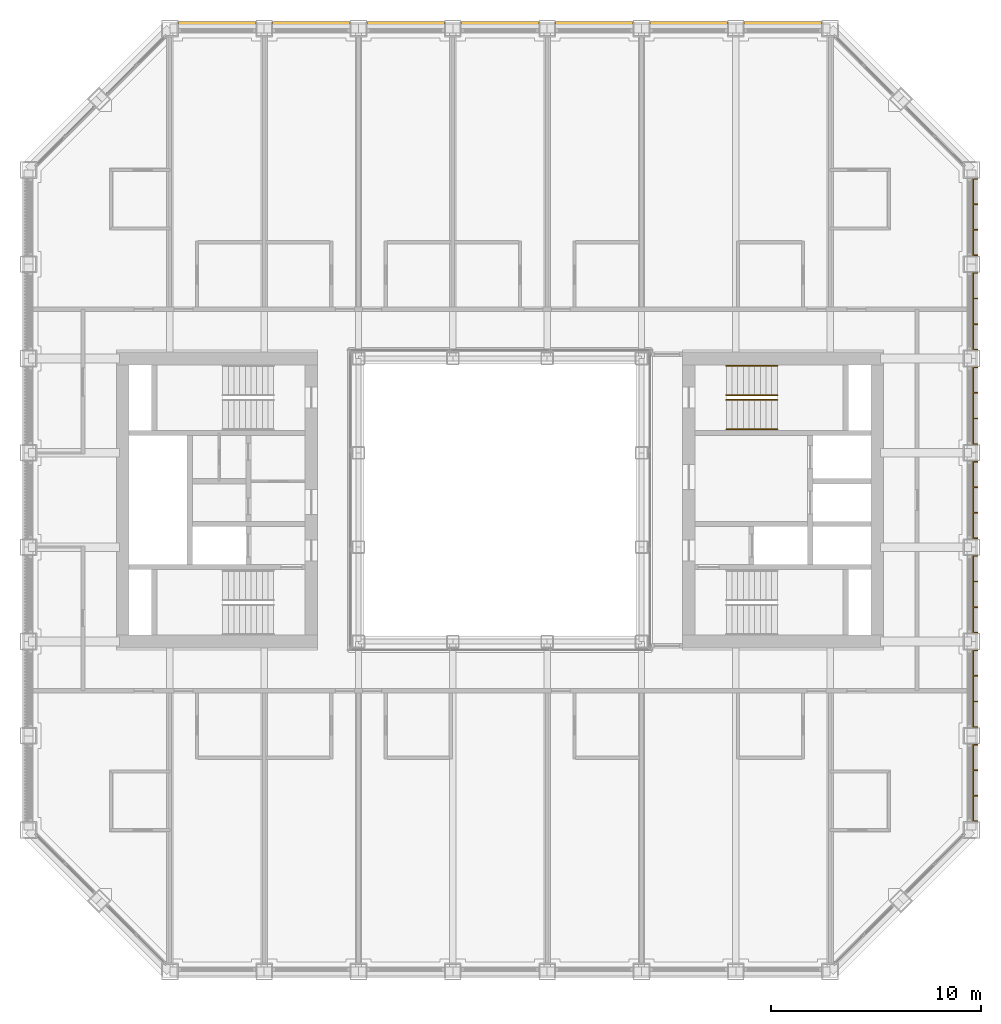
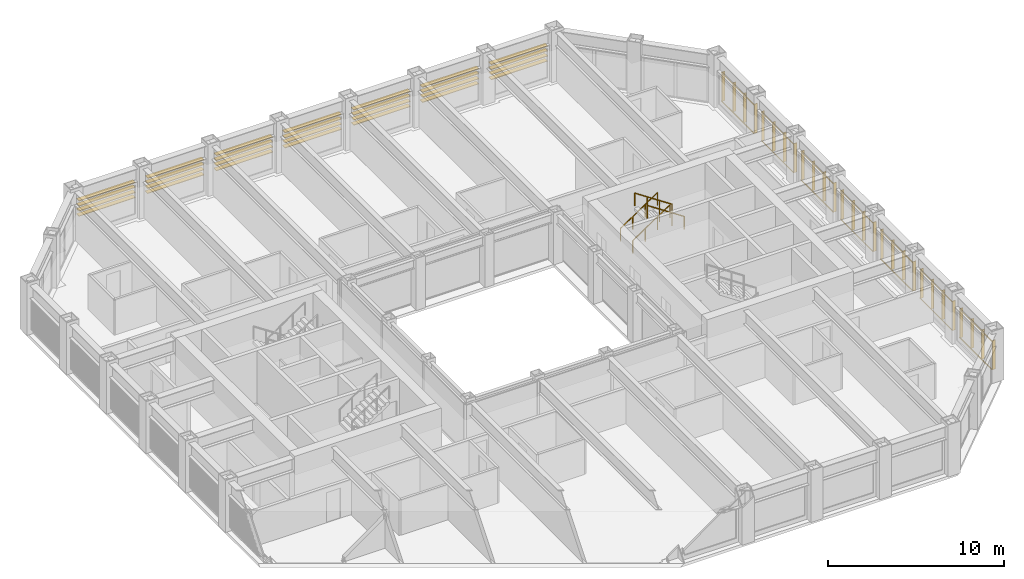
# One storey, part 17 of 17: 4 railings, 2 shading devices.
"""IFC4 building model written with IfcOpenShell, lengths in metres."""

from ifc_helpers import new_model, si_unit, direction, frame, origin, origin_2d, place, context, subcontext, project, spatial, rectangle, circle, extrude, material, type_object, element, save


model = new_model("IFC4")

# Units and contexts
model_context = context("Model", 3, precision=1e-05, world=origin(), true_north=direction((0.0, 1.0)))
body_context = subcontext(model_context, "Body", "Model", "MODEL_VIEW")
ifc_project = project(units=[si_unit("LENGTHUNIT", "METRE"), si_unit("AREAUNIT", "SQUARE_METRE"), si_unit("VOLUMEUNIT", "CUBIC_METRE"), si_unit("PLANEANGLEUNIT", "RADIAN"), si_unit("MASSUNIT", "GRAM", prefix="KILO")], contexts=[model_context])

# Site, building, storey
site_placement = place(None, origin())
site = spatial("IfcSite", under=ifc_project, at=site_placement, CompositionType="ELEMENT")
building_placement = place(site_placement, origin())
building = spatial("IfcBuilding", under=site, at=building_placement, Name="Msasa Ring Tower", CompositionType="ELEMENT")
storey_placement = place(building_placement, frame((0.0, 0.0, 143.60009765625)))
storey = spatial("IfcBuildingStorey", under=building, at=storey_placement, Name="L37", CompositionType="ELEMENT", Elevation=143.60009765625)

# Shading device
ifc_material_1 = material(Name="Extruded terracotta on aluminium carriers", Category="masonry")
shading_device_type_1 = type_object("IfcShadingDeviceType", Name="BS2 TERRACOTTA FIN SCREEN 40x200 AT 1350", PredefinedType="USERDEFINED", material=ifc_material_1)
shading_device_1_placement = place(storey_placement, origin())
element("IfcShadingDevice", 1, at=shading_device_1_placement, inside=storey, type_object=shading_device_type_1, Name="Terracotta fin screen E L37", ObjectType="BAGUETTE", PredefinedType="USERDEFINED", context=body_context, shape_type="SweptSolid", body=[
    extrude(rectangle(XDim=0.06005859375, YDim=0.0400390625, at=origin_2d()), frame((22.580078125, -15.35009765625, 0.329833984375), z_axis=(0.0, 1.0, 0.0), x_axis=(0.0, 0.0, 1.0)), (0.0, 0.0, 1.0), 3.699951171875),
    extrude(rectangle(XDim=0.06005859375, YDim=0.0400390625, at=origin_2d()), frame((22.580078125, -15.35009765625, 2.298828125), z_axis=(0.0, 1.0, 0.0), x_axis=(0.0, 0.0, 1.0)), (0.0, 0.0, 1.0), 3.699951171875),
    extrude(rectangle(XDim=0.0400390625, YDim=0.199951171875, at=origin_2d()), frame((22.695068359375, -15.330078125, 0.2998046875), z_axis=(0.0, 0.0, 1.0), x_axis=(0.0, 1.0, 0.0)), (0.0, 0.0, 1.0), 2.029052734375),
    extrude(rectangle(XDim=0.0400390625, YDim=0.199951171875, at=origin_2d()), frame((22.695068359375, -14.110107421875, 0.2998046875), z_axis=(0.0, 0.0, 1.0), x_axis=(0.0, 1.0, 0.0)), (0.0, 0.0, 1.0), 2.029052734375),
    extrude(rectangle(XDim=0.0400390625, YDim=0.199951171875, at=origin_2d()), frame((22.695068359375, -12.889892578125, 0.2998046875), z_axis=(0.0, 0.0, 1.0), x_axis=(0.0, 1.0, 0.0)), (0.0, 0.0, 1.0), 2.029052734375),
    extrude(rectangle(XDim=0.0400390625, YDim=0.199951171875, at=origin_2d()), frame((22.695068359375, -11.669921875, 0.2998046875), z_axis=(0.0, 0.0, 1.0), x_axis=(0.0, 1.0, 0.0)), (0.0, 0.0, 1.0), 2.029052734375),
    extrude(rectangle(XDim=0.06005859375, YDim=0.0400390625, at=origin_2d()), frame((22.580078125, -10.85009765625, 0.329833984375), z_axis=(0.0, 1.0, 0.0), x_axis=(0.0, 0.0, 1.0)), (0.0, 0.0, 1.0), 3.699951171875),
    extrude(rectangle(XDim=0.06005859375, YDim=0.0400390625, at=origin_2d()), frame((22.580078125, -10.85009765625, 2.298828125), z_axis=(0.0, 1.0, 0.0), x_axis=(0.0, 0.0, 1.0)), (0.0, 0.0, 1.0), 3.699951171875),
    extrude(rectangle(XDim=0.0400390625, YDim=0.199951171875, at=origin_2d()), frame((22.695068359375, -10.830078125, 0.2998046875), z_axis=(0.0, 0.0, 1.0), x_axis=(0.0, 1.0, 0.0)), (0.0, 0.0, 1.0), 2.029052734375),
    extrude(rectangle(XDim=0.0400390625, YDim=0.199951171875, at=origin_2d()), frame((22.695068359375, -9.610107421875, 0.2998046875), z_axis=(0.0, 0.0, 1.0), x_axis=(0.0, 1.0, 0.0)), (0.0, 0.0, 1.0), 2.029052734375),
    extrude(rectangle(XDim=0.0400390625, YDim=0.199951171875, at=origin_2d()), frame((22.695068359375, -8.389892578125, 0.2998046875), z_axis=(0.0, 0.0, 1.0), x_axis=(0.0, 1.0, 0.0)), (0.0, 0.0, 1.0), 2.029052734375),
    extrude(rectangle(XDim=0.0400390625, YDim=0.199951171875, at=origin_2d()), frame((22.695068359375, -7.169921875, 0.2998046875), z_axis=(0.0, 0.0, 1.0), x_axis=(0.0, 1.0, 0.0)), (0.0, 0.0, 1.0), 2.029052734375),
    extrude(rectangle(XDim=0.06005859375, YDim=0.0400390625, at=origin_2d()), frame((22.580078125, -6.35009765625, 0.329833984375), z_axis=(0.0, 1.0, 0.0), x_axis=(0.0, 0.0, 1.0)), (0.0, 0.0, 1.0), 3.699951171875),
    extrude(rectangle(XDim=0.06005859375, YDim=0.0400390625, at=origin_2d()), frame((22.580078125, -6.35009765625, 2.298828125), z_axis=(0.0, 1.0, 0.0), x_axis=(0.0, 0.0, 1.0)), (0.0, 0.0, 1.0), 3.699951171875),
    extrude(rectangle(XDim=0.0400390625, YDim=0.199951171875, at=origin_2d()), frame((22.695068359375, -6.330078125, 0.2998046875), z_axis=(0.0, 0.0, 1.0), x_axis=(0.0, 1.0, 0.0)), (0.0, 0.0, 1.0), 2.029052734375),
    extrude(rectangle(XDim=0.0400390625, YDim=0.199951171875, at=origin_2d()), frame((22.695068359375, -5.110107421875, 0.2998046875), z_axis=(0.0, 0.0, 1.0), x_axis=(0.0, 1.0, 0.0)), (0.0, 0.0, 1.0), 2.029052734375),
    extrude(rectangle(XDim=0.0400390625, YDim=0.199951171875, at=origin_2d()), frame((22.695068359375, -3.889892578125, 0.2998046875), z_axis=(0.0, 0.0, 1.0), x_axis=(0.0, 1.0, 0.0)), (0.0, 0.0, 1.0), 2.029052734375),
    extrude(rectangle(XDim=0.0400390625, YDim=0.199951171875, at=origin_2d()), frame((22.695068359375, -2.669921875, 0.2998046875), z_axis=(0.0, 0.0, 1.0), x_axis=(0.0, 1.0, 0.0)), (0.0, 0.0, 1.0), 2.029052734375),
    extrude(rectangle(XDim=0.06005859375, YDim=0.0400390625, at=origin_2d()), frame((22.580078125, -1.85009765625, 0.329833984375), z_axis=(0.0, 1.0, 0.0), x_axis=(0.0, 0.0, 1.0)), (0.0, 0.0, 1.0), 3.699951171875),
    extrude(rectangle(XDim=0.06005859375, YDim=0.0400390625, at=origin_2d()), frame((22.580078125, -1.85009765625, 2.298828125), z_axis=(0.0, 1.0, 0.0), x_axis=(0.0, 0.0, 1.0)), (0.0, 0.0, 1.0), 3.699951171875),
    extrude(rectangle(XDim=0.0400390625, YDim=0.199951171875, at=origin_2d()), frame((22.695068359375, -1.830078125, 0.2998046875), z_axis=(0.0, 0.0, 1.0), x_axis=(0.0, 1.0, 0.0)), (0.0, 0.0, 1.0), 2.029052734375),
    extrude(rectangle(XDim=0.0400390625, YDim=0.199951171875, at=origin_2d()), frame((22.695068359375, -0.610107421875, 0.2998046875), z_axis=(0.0, 0.0, 1.0), x_axis=(0.0, 1.0, 0.0)), (0.0, 0.0, 1.0), 2.029052734375),
    extrude(rectangle(XDim=0.0400390625, YDim=0.199951171875, at=origin_2d()), frame((22.695068359375, 0.610107421875, 0.2998046875), z_axis=(0.0, 0.0, 1.0), x_axis=(0.0, 1.0, 0.0)), (0.0, 0.0, 1.0), 2.029052734375),
    extrude(rectangle(XDim=0.0400390625, YDim=0.199951171875, at=origin_2d()), frame((22.695068359375, 1.830078125, 0.2998046875), z_axis=(0.0, 0.0, 1.0), x_axis=(0.0, 1.0, 0.0)), (0.0, 0.0, 1.0), 2.029052734375),
    extrude(rectangle(XDim=0.06005859375, YDim=0.0400390625, at=origin_2d()), frame((22.580078125, 2.64990234375, 0.329833984375), z_axis=(0.0, 1.0, 0.0), x_axis=(0.0, 0.0, 1.0)), (0.0, 0.0, 1.0), 3.699951171875),
    extrude(rectangle(XDim=0.06005859375, YDim=0.0400390625, at=origin_2d()), frame((22.580078125, 2.64990234375, 2.298828125), z_axis=(0.0, 1.0, 0.0), x_axis=(0.0, 0.0, 1.0)), (0.0, 0.0, 1.0), 3.699951171875),
    extrude(rectangle(XDim=0.0400390625, YDim=0.199951171875, at=origin_2d()), frame((22.695068359375, 2.669921875, 0.2998046875), z_axis=(0.0, 0.0, 1.0), x_axis=(0.0, 1.0, 0.0)), (0.0, 0.0, 1.0), 2.029052734375),
    extrude(rectangle(XDim=0.0400390625, YDim=0.199951171875, at=origin_2d()), frame((22.695068359375, 3.889892578125, 0.2998046875), z_axis=(0.0, 0.0, 1.0), x_axis=(0.0, 1.0, 0.0)), (0.0, 0.0, 1.0), 2.029052734375),
    extrude(rectangle(XDim=0.0400390625, YDim=0.199951171875, at=origin_2d()), frame((22.695068359375, 5.110107421875, 0.2998046875), z_axis=(0.0, 0.0, 1.0), x_axis=(0.0, 1.0, 0.0)), (0.0, 0.0, 1.0), 2.029052734375),
    extrude(rectangle(XDim=0.0400390625, YDim=0.199951171875, at=origin_2d()), frame((22.695068359375, 6.330078125, 0.2998046875), z_axis=(0.0, 0.0, 1.0), x_axis=(0.0, 1.0, 0.0)), (0.0, 0.0, 1.0), 2.029052734375),
    extrude(rectangle(XDim=0.06005859375, YDim=0.0400390625, at=origin_2d()), frame((22.580078125, 7.14990234375, 0.329833984375), z_axis=(0.0, 1.0, 0.0), x_axis=(0.0, 0.0, 1.0)), (0.0, 0.0, 1.0), 3.699951171875),
    extrude(rectangle(XDim=0.06005859375, YDim=0.0400390625, at=origin_2d()), frame((22.580078125, 7.14990234375, 2.298828125), z_axis=(0.0, 1.0, 0.0), x_axis=(0.0, 0.0, 1.0)), (0.0, 0.0, 1.0), 3.699951171875),
    extrude(rectangle(XDim=0.0400390625, YDim=0.199951171875, at=origin_2d()), frame((22.695068359375, 7.169921875, 0.2998046875), z_axis=(0.0, 0.0, 1.0), x_axis=(0.0, 1.0, 0.0)), (0.0, 0.0, 1.0), 2.029052734375),
    extrude(rectangle(XDim=0.0400390625, YDim=0.199951171875, at=origin_2d()), frame((22.695068359375, 8.389892578125, 0.2998046875), z_axis=(0.0, 0.0, 1.0), x_axis=(0.0, 1.0, 0.0)), (0.0, 0.0, 1.0), 2.029052734375),
    extrude(rectangle(XDim=0.0400390625, YDim=0.199951171875, at=origin_2d()), frame((22.695068359375, 9.610107421875, 0.2998046875), z_axis=(0.0, 0.0, 1.0), x_axis=(0.0, 1.0, 0.0)), (0.0, 0.0, 1.0), 2.029052734375),
    extrude(rectangle(XDim=0.0400390625, YDim=0.199951171875, at=origin_2d()), frame((22.695068359375, 10.830078125, 0.2998046875), z_axis=(0.0, 0.0, 1.0), x_axis=(0.0, 1.0, 0.0)), (0.0, 0.0, 1.0), 2.029052734375),
    extrude(rectangle(XDim=0.06005859375, YDim=0.0400390625, at=origin_2d()), frame((22.580078125, 11.64990234375, 0.329833984375), z_axis=(0.0, 1.0, 0.0), x_axis=(0.0, 0.0, 1.0)), (0.0, 0.0, 1.0), 3.699951171875),
    extrude(rectangle(XDim=0.06005859375, YDim=0.0400390625, at=origin_2d()), frame((22.580078125, 11.64990234375, 2.298828125), z_axis=(0.0, 1.0, 0.0), x_axis=(0.0, 0.0, 1.0)), (0.0, 0.0, 1.0), 3.699951171875),
    extrude(rectangle(XDim=0.0400390625, YDim=0.199951171875, at=origin_2d()), frame((22.695068359375, 11.669921875, 0.2998046875), z_axis=(0.0, 0.0, 1.0), x_axis=(0.0, 1.0, 0.0)), (0.0, 0.0, 1.0), 2.029052734375),
    extrude(rectangle(XDim=0.0400390625, YDim=0.199951171875, at=origin_2d()), frame((22.695068359375, 12.889892578125, 0.2998046875), z_axis=(0.0, 0.0, 1.0), x_axis=(0.0, 1.0, 0.0)), (0.0, 0.0, 1.0), 2.029052734375),
    extrude(rectangle(XDim=0.0400390625, YDim=0.199951171875, at=origin_2d()), frame((22.695068359375, 14.110107421875, 0.2998046875), z_axis=(0.0, 0.0, 1.0), x_axis=(0.0, 1.0, 0.0)), (0.0, 0.0, 1.0), 2.029052734375),
    extrude(rectangle(XDim=0.0400390625, YDim=0.199951171875, at=origin_2d()), frame((22.695068359375, 15.330078125, 0.2998046875), z_axis=(0.0, 0.0, 1.0), x_axis=(0.0, 1.0, 0.0)), (0.0, 0.0, 1.0), 2.029052734375),
])

# Railings
ifc_material_2 = material(Name="Stainless steel", Category="steel")
railing_type = type_object("IfcRailingType", Name="HR1 HANDRAIL 900", PredefinedType="HANDRAIL", material=ifc_material_2)
for number, where, name in (
    (2, (10.800048828125, 5.0, 0.179931640625), "Handrail stair SEB L37 1"),
    (3, (10.800048828125, 6.39990234375, 0.179931640625), "Handrail stair SEB L37 2"),
):
    element("IfcRailing", number, at=place(storey_placement, frame(where)), inside=storey, type_object=railing_type, Name=name, PredefinedType="HANDRAIL", context=body_context, shape_type="SweptSolid", body=[
        extrude(circle(Radius=0.02392578125, at=origin_2d()), frame((0.0, 0.0, 0.8759765625), z_axis=(0.832063155534, 0.0, 0.554680903946), x_axis=(0.0, 1.0, 0.0)), (0.0, 0.0, 1.0), 2.92041015625),
        extrude(circle(Radius=0.02099609375, at=origin_2d()), origin(), (0.0, 0.0, 1.0), 0.851806640625),
        extrude(circle(Radius=0.02099609375, at=origin_2d()), frame((0.81005859375, 0.0, 0.5400390625)), (0.0, 0.0, 1.0), 0.851806640625),
        extrude(circle(Radius=0.02099609375, at=origin_2d()), frame((1.619873046875, 0.0, 1.079833984375)), (0.0, 0.0, 1.0), 0.851806640625),
        extrude(circle(Radius=0.02099609375, at=origin_2d()), frame((2.429931640625, 0.0, 1.619873046875)), (0.0, 0.0, 1.0), 0.851806640625),
    ])
for number, where, name in (
    (4, (13.22998046875, 3.375, 1.97998046875), "Handrail stair SEB L37 3"),
    (5, (13.22998046875, 4.77490234375, 1.97998046875), "Handrail stair SEB L37 4"),
):
    element("IfcRailing", number, at=place(storey_placement, frame(where)), inside=storey, type_object=railing_type, Name=name, PredefinedType="HANDRAIL", context=body_context, shape_type="SweptSolid", body=[
        extrude(circle(Radius=0.02392578125, at=origin_2d()), frame((0.0, 0.0, 0.8759765625), z_axis=(-0.832063155534, 0.0, 0.554680903946), x_axis=(0.0, -1.0, 0.0)), (0.0, 0.0, 1.0), 2.92041015625),
        extrude(circle(Radius=0.02099609375, at=origin_2d()), origin(), (0.0, 0.0, 1.0), 0.851806640625),
        extrude(circle(Radius=0.02099609375, at=origin_2d()), frame((-0.81005859375, 0.0, 0.5400390625)), (0.0, 0.0, 1.0), 0.851806640625),
        extrude(circle(Radius=0.02099609375, at=origin_2d()), frame((-1.619873046875, 0.0, 1.079833984375)), (0.0, 0.0, 1.0), 0.851806640625),
        extrude(circle(Radius=0.02099609375, at=origin_2d()), frame((-2.429931640625, 0.0, 1.619873046875)), (0.0, 0.0, 1.0), 0.851806640625),
    ])

# Shading device
ifc_material_3 = material(Name="Extruded terracotta blades", Category="masonry")
shading_device_type_2 = type_object("IfcShadingDeviceType", Name="SS1 TERRACOTTA SUNSHADE 4 BLADES 300x40 AT 350", PredefinedType="USERDEFINED", material=ifc_material_3)
shading_device_2_placement = place(storey_placement, origin())
element("IfcShadingDevice", 6, at=shading_device_2_placement, inside=storey, type_object=shading_device_type_2, Name="Terracotta sunshade N L37", ObjectType="SUNSHADE", PredefinedType="USERDEFINED", context=body_context, shape_type="SweptSolid", body=[
    extrude(rectangle(XDim=0.0400390625, YDim=0.300048828125, at=origin_2d()), frame((-15.35009765625, 22.679931640625, 2.308837890625), z_axis=(1.0, 0.0, 0.0), x_axis=(0.0, 0.0, 1.0)), (0.0, 0.0, 1.0), 3.699951171875),
    extrude(rectangle(XDim=0.0400390625, YDim=0.300048828125, at=origin_2d()), frame((-15.35009765625, 22.679931640625, 1.958984375), z_axis=(1.0, 0.0, 0.0), x_axis=(0.0, 0.0, 1.0)), (0.0, 0.0, 1.0), 3.699951171875),
    extrude(rectangle(XDim=0.0400390625, YDim=0.300048828125, at=origin_2d()), frame((-15.35009765625, 22.679931640625, 1.60888671875), z_axis=(1.0, 0.0, 0.0), x_axis=(0.0, 0.0, 1.0)), (0.0, 0.0, 1.0), 3.699951171875),
    extrude(rectangle(XDim=0.0400390625, YDim=0.300048828125, at=origin_2d()), frame((-15.35009765625, 22.679931640625, 1.2587890625), z_axis=(1.0, 0.0, 0.0), x_axis=(0.0, 0.0, 1.0)), (0.0, 0.0, 1.0), 3.699951171875),
    extrude(rectangle(XDim=0.0400390625, YDim=0.300048828125, at=origin_2d()), frame((-10.85009765625, 22.679931640625, 2.308837890625), z_axis=(1.0, 0.0, 0.0), x_axis=(0.0, 0.0, 1.0)), (0.0, 0.0, 1.0), 3.699951171875),
    extrude(rectangle(XDim=0.0400390625, YDim=0.300048828125, at=origin_2d()), frame((-10.85009765625, 22.679931640625, 1.958984375), z_axis=(1.0, 0.0, 0.0), x_axis=(0.0, 0.0, 1.0)), (0.0, 0.0, 1.0), 3.699951171875),
    extrude(rectangle(XDim=0.0400390625, YDim=0.300048828125, at=origin_2d()), frame((-10.85009765625, 22.679931640625, 1.60888671875), z_axis=(1.0, 0.0, 0.0), x_axis=(0.0, 0.0, 1.0)), (0.0, 0.0, 1.0), 3.699951171875),
    extrude(rectangle(XDim=0.0400390625, YDim=0.300048828125, at=origin_2d()), frame((-10.85009765625, 22.679931640625, 1.2587890625), z_axis=(1.0, 0.0, 0.0), x_axis=(0.0, 0.0, 1.0)), (0.0, 0.0, 1.0), 3.699951171875),
    extrude(rectangle(XDim=0.0400390625, YDim=0.300048828125, at=origin_2d()), frame((-6.35009765625, 22.679931640625, 2.308837890625), z_axis=(1.0, 0.0, 0.0), x_axis=(0.0, 0.0, 1.0)), (0.0, 0.0, 1.0), 3.699951171875),
    extrude(rectangle(XDim=0.0400390625, YDim=0.300048828125, at=origin_2d()), frame((-6.35009765625, 22.679931640625, 1.958984375), z_axis=(1.0, 0.0, 0.0), x_axis=(0.0, 0.0, 1.0)), (0.0, 0.0, 1.0), 3.699951171875),
    extrude(rectangle(XDim=0.0400390625, YDim=0.300048828125, at=origin_2d()), frame((-6.35009765625, 22.679931640625, 1.60888671875), z_axis=(1.0, 0.0, 0.0), x_axis=(0.0, 0.0, 1.0)), (0.0, 0.0, 1.0), 3.699951171875),
    extrude(rectangle(XDim=0.0400390625, YDim=0.300048828125, at=origin_2d()), frame((-6.35009765625, 22.679931640625, 1.2587890625), z_axis=(1.0, 0.0, 0.0), x_axis=(0.0, 0.0, 1.0)), (0.0, 0.0, 1.0), 3.699951171875),
    extrude(rectangle(XDim=0.0400390625, YDim=0.300048828125, at=origin_2d()), frame((-1.85009765625, 22.679931640625, 2.308837890625), z_axis=(1.0, 0.0, 0.0), x_axis=(0.0, 0.0, 1.0)), (0.0, 0.0, 1.0), 3.699951171875),
    extrude(rectangle(XDim=0.0400390625, YDim=0.300048828125, at=origin_2d()), frame((-1.85009765625, 22.679931640625, 1.958984375), z_axis=(1.0, 0.0, 0.0), x_axis=(0.0, 0.0, 1.0)), (0.0, 0.0, 1.0), 3.699951171875),
    extrude(rectangle(XDim=0.0400390625, YDim=0.300048828125, at=origin_2d()), frame((-1.85009765625, 22.679931640625, 1.60888671875), z_axis=(1.0, 0.0, 0.0), x_axis=(0.0, 0.0, 1.0)), (0.0, 0.0, 1.0), 3.699951171875),
    extrude(rectangle(XDim=0.0400390625, YDim=0.300048828125, at=origin_2d()), frame((-1.85009765625, 22.679931640625, 1.2587890625), z_axis=(1.0, 0.0, 0.0), x_axis=(0.0, 0.0, 1.0)), (0.0, 0.0, 1.0), 3.699951171875),
    extrude(rectangle(XDim=0.0400390625, YDim=0.300048828125, at=origin_2d()), frame((2.64990234375, 22.679931640625, 2.308837890625), z_axis=(1.0, 0.0, 0.0), x_axis=(0.0, 0.0, 1.0)), (0.0, 0.0, 1.0), 3.699951171875),
    extrude(rectangle(XDim=0.0400390625, YDim=0.300048828125, at=origin_2d()), frame((2.64990234375, 22.679931640625, 1.958984375), z_axis=(1.0, 0.0, 0.0), x_axis=(0.0, 0.0, 1.0)), (0.0, 0.0, 1.0), 3.699951171875),
    extrude(rectangle(XDim=0.0400390625, YDim=0.300048828125, at=origin_2d()), frame((2.64990234375, 22.679931640625, 1.60888671875), z_axis=(1.0, 0.0, 0.0), x_axis=(0.0, 0.0, 1.0)), (0.0, 0.0, 1.0), 3.699951171875),
    extrude(rectangle(XDim=0.0400390625, YDim=0.300048828125, at=origin_2d()), frame((2.64990234375, 22.679931640625, 1.2587890625), z_axis=(1.0, 0.0, 0.0), x_axis=(0.0, 0.0, 1.0)), (0.0, 0.0, 1.0), 3.699951171875),
    extrude(rectangle(XDim=0.0400390625, YDim=0.300048828125, at=origin_2d()), frame((7.14990234375, 22.679931640625, 2.308837890625), z_axis=(1.0, 0.0, 0.0), x_axis=(0.0, 0.0, 1.0)), (0.0, 0.0, 1.0), 3.699951171875),
    extrude(rectangle(XDim=0.0400390625, YDim=0.300048828125, at=origin_2d()), frame((7.14990234375, 22.679931640625, 1.958984375), z_axis=(1.0, 0.0, 0.0), x_axis=(0.0, 0.0, 1.0)), (0.0, 0.0, 1.0), 3.699951171875),
    extrude(rectangle(XDim=0.0400390625, YDim=0.300048828125, at=origin_2d()), frame((7.14990234375, 22.679931640625, 1.60888671875), z_axis=(1.0, 0.0, 0.0), x_axis=(0.0, 0.0, 1.0)), (0.0, 0.0, 1.0), 3.699951171875),
    extrude(rectangle(XDim=0.0400390625, YDim=0.300048828125, at=origin_2d()), frame((7.14990234375, 22.679931640625, 1.2587890625), z_axis=(1.0, 0.0, 0.0), x_axis=(0.0, 0.0, 1.0)), (0.0, 0.0, 1.0), 3.699951171875),
    extrude(rectangle(XDim=0.0400390625, YDim=0.300048828125, at=origin_2d()), frame((11.64990234375, 22.679931640625, 2.308837890625), z_axis=(1.0, 0.0, 0.0), x_axis=(0.0, 0.0, 1.0)), (0.0, 0.0, 1.0), 3.699951171875),
    extrude(rectangle(XDim=0.0400390625, YDim=0.300048828125, at=origin_2d()), frame((11.64990234375, 22.679931640625, 1.958984375), z_axis=(1.0, 0.0, 0.0), x_axis=(0.0, 0.0, 1.0)), (0.0, 0.0, 1.0), 3.699951171875),
    extrude(rectangle(XDim=0.0400390625, YDim=0.300048828125, at=origin_2d()), frame((11.64990234375, 22.679931640625, 1.60888671875), z_axis=(1.0, 0.0, 0.0), x_axis=(0.0, 0.0, 1.0)), (0.0, 0.0, 1.0), 3.699951171875),
    extrude(rectangle(XDim=0.0400390625, YDim=0.300048828125, at=origin_2d()), frame((11.64990234375, 22.679931640625, 1.2587890625), z_axis=(1.0, 0.0, 0.0), x_axis=(0.0, 0.0, 1.0)), (0.0, 0.0, 1.0), 3.699951171875),
])

save(model, "model.ifc")
